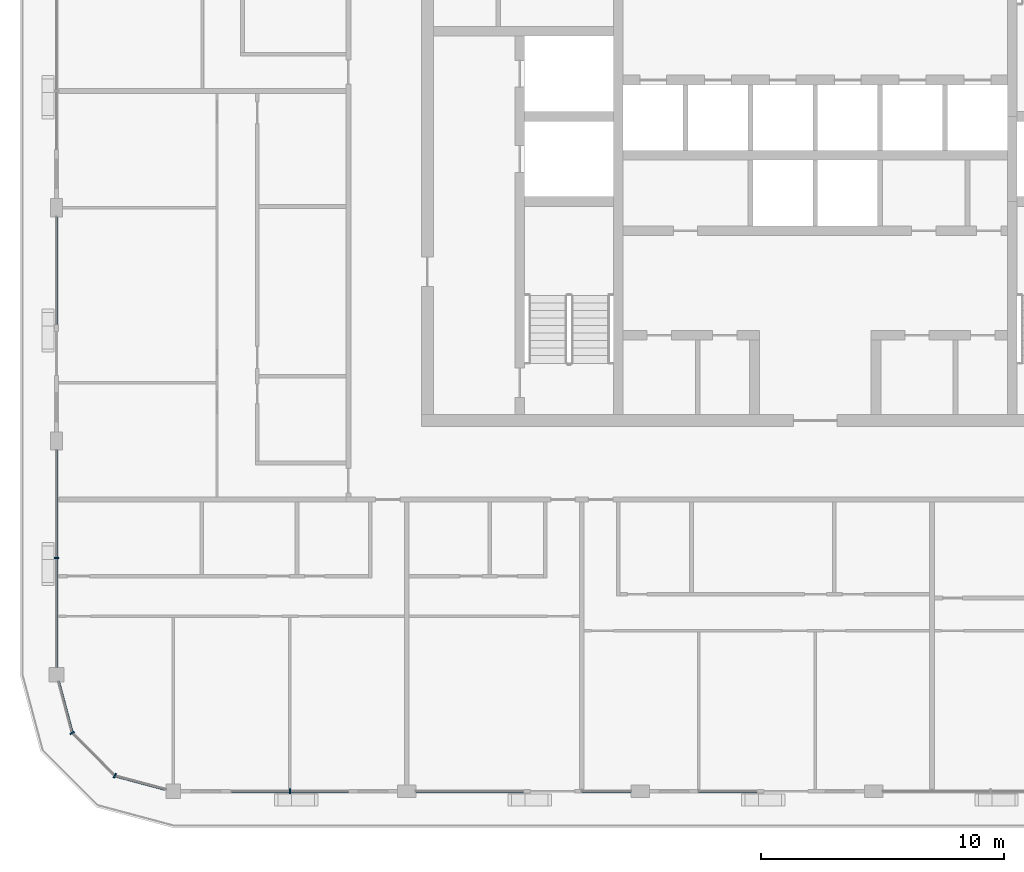
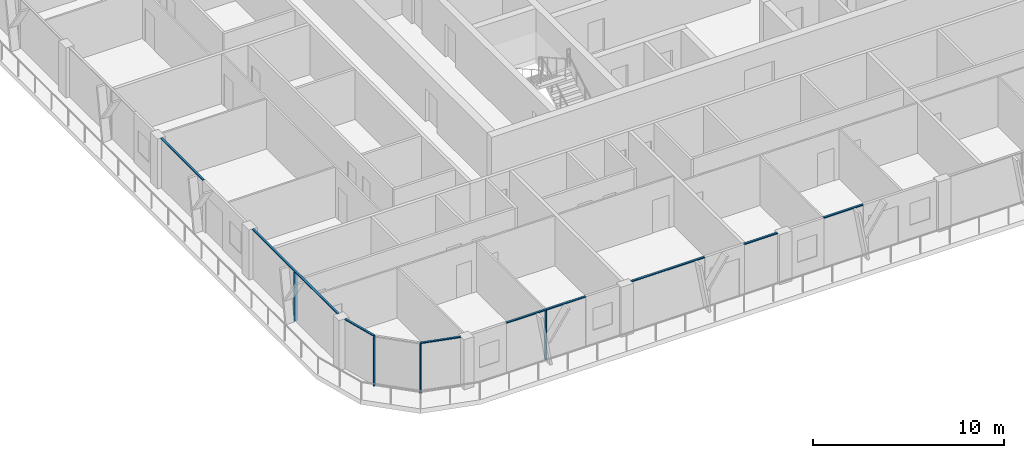
# One storey, part 2 of 22: 12 members, 6 elements without a shape of their own.
"""IFC4 building model written with IfcOpenShell, lengths in metres."""

from ifc_helpers import new_model, si_unit, direction, frame, origin, origin_2d, place, context, subcontext, project, spatial, rectangle, extrude, material, layer, layer_set, material_profile, profile_set, type_object, element, aggregate, save


model = new_model("IFC4")

# Units and contexts
model_context = context("Model", 3, precision=1e-05, world=origin(), true_north=direction((0.0, 1.0)))
body_context = subcontext(model_context, "Body", "Model", "MODEL_VIEW")
ifc_project = project(units=[si_unit("LENGTHUNIT", "METRE"), si_unit("AREAUNIT", "SQUARE_METRE"), si_unit("VOLUMEUNIT", "CUBIC_METRE"), si_unit("PLANEANGLEUNIT", "RADIAN"), si_unit("MASSUNIT", "GRAM", prefix="KILO")], contexts=[model_context])

# Site, building, storey
site_placement = place(None, origin())
site = spatial("IfcSite", under=ifc_project, at=site_placement, CompositionType="ELEMENT")
building_placement = place(site_placement, origin())
building = spatial("IfcBuilding", under=site, at=building_placement, Name="Madar Terraces", CompositionType="ELEMENT")
storey_placement = place(building_placement, frame((0.0, 0.0, 282.60009765625)))
storey = spatial("IfcBuildingStorey", under=building, at=storey_placement, Name="L74", CompositionType="ELEMENT", Elevation=282.60009765625)

# Curtain wall, member
ifc_material_1 = material(Name="Glass, ceramic frit dark grey, with black aluminium frame", Category="aluminium")
ifc_layer = layer(ifc_material_1, 0.199951171875)
ifc_layer_set = layer_set([ifc_layer], Name="Facade curtain wall, fritted glass")
curtain_wall_type = type_object("IfcCurtainWallType", Name="Facade curtain wall, fritted glass", PredefinedType="NOTDEFINED", material=ifc_layer_set)
curtain_wall_1_placement = place(storey_placement, origin())
curtain_wall_1 = element("IfcCurtainWall", 1, at=curtain_wall_1_placement, inside=storey, type_object=curtain_wall_type, Name="Outer skin curtain wall south bay 1", PredefinedType="NOTDEFINED")
ifc_material_2 = material(Name="Aluminium, black anodised", Category="aluminium")
ifc_material_profile_1 = material_profile(ifc_material_2, rectangle(XDim=0.199951171875, YDim=0.06005859375, at=origin_2d()), Name="Facade mullion 60x200")
ifc_profile_set_1 = profile_set([ifc_material_profile_1], Name="Aluminium, black anodised")
member_type_1 = type_object("IfcMemberType", Name="Facade mullion 60x200", PredefinedType="MULLION", material=ifc_profile_set_1)
member_1_placement = place(storey_placement, frame((9.60009765625, 0.0, 0.0), z_axis=(0.0, 0.0, 1.0), x_axis=(0.0, 1.0, 0.0)))
member_1 = element("IfcMember", 2, at=member_1_placement, type_object=member_type_1, Name="Mullion 1", PredefinedType="MULLION", context=body_context, shape_type="SweptSolid", body=[
    extrude(rectangle(XDim=0.199951171875, YDim=0.06005859375, at=origin_2d()), origin(), (0.0, 0.0, 1.0), 3.139892578125),
])

curtain_wall_2_placement = place(storey_placement, origin())
curtain_wall_2 = element("IfcCurtainWall", 3, at=curtain_wall_2_placement, inside=storey, type_object=curtain_wall_type, Name="Outer skin curtain wall west bay 4", PredefinedType="NOTDEFINED")
member_2_placement = place(storey_placement, frame((0.0, 9.60009765625, 0.0), z_axis=(0.0, 0.0, 1.0), x_axis=(1.0, 0.0, 0.0)))
member_2 = element("IfcMember", 4, at=member_2_placement, type_object=member_type_1, Name="Mullion 1", PredefinedType="MULLION", context=body_context, shape_type="SweptSolid", body=[
    extrude(rectangle(XDim=0.199951171875, YDim=0.06005859375, at=origin_2d()), origin(), (0.0, 0.0, 1.0), 3.139892578125),
])

# Curtain wall, members
curtain_wall_3_placement = place(storey_placement, origin())
curtain_wall_3 = element("IfcCurtainWall", 5, at=curtain_wall_3_placement, inside=storey, type_object=curtain_wall_type, Name="Outer skin curtain wall south-west corner", PredefinedType="NOTDEFINED")
member_3_placement = place(storey_placement, frame((0.64306640625, 2.39990234375, 0.0), z_axis=(0.0, 0.0, 1.0), x_axis=(0.866025409797, 0.499999989586, 0.0)))
member_3 = element("IfcMember", 6, at=member_3_placement, type_object=member_type_1, Name="Mullion 1", PredefinedType="MULLION", context=body_context, shape_type="SweptSolid", body=[
    extrude(rectangle(XDim=0.199951171875, YDim=0.06005859375, at=origin_2d()), origin(), (0.0, 0.0, 1.0), 3.139892578125),
])
member_4_placement = place(storey_placement, frame((2.39990234375, 0.64306640625, 0.0), z_axis=(0.0, 0.0, 1.0), x_axis=(0.499999989586, 0.866025409797, 0.0)))
member_4 = element("IfcMember", 7, at=member_4_placement, type_object=member_type_1, Name="Mullion 2", PredefinedType="MULLION", context=body_context, shape_type="SweptSolid", body=[
    extrude(rectangle(XDim=0.199951171875, YDim=0.06005859375, at=origin_2d()), origin(), (0.0, 0.0, 1.0), 3.139892578125),
])

# Member
ifc_material_3 = material(Name="Aluminium, black anodised", Category="aluminium")
ifc_material_profile_2 = material_profile(ifc_material_3, rectangle(XDim=0.1201171875, YDim=0.06005859375, at=origin_2d()), Name="Facade transom 60x120")
ifc_profile_set_2 = profile_set([ifc_material_profile_2], Name="Aluminium, black anodised")
member_type_2 = type_object("IfcMemberType", Name="Facade transom 60x120", PredefinedType="USERDEFINED", material=ifc_profile_set_2)
member_5_placement = place(storey_placement, frame((7.199951171875, 0.0, 3.169921875), z_axis=(1.0, 0.0, 0.0), x_axis=(0.0, 1.0, 0.0)))
member_5 = element("IfcMember", 8, at=member_5_placement, type_object=member_type_2, Name="Transom 1", ObjectType="TRANSOM", PredefinedType="USERDEFINED", context=body_context, shape_type="SweptSolid", body=[
    extrude(rectangle(XDim=0.1201171875, YDim=0.06005859375, at=origin_2d()), origin(), (0.0, 0.0, 1.0), 4.800048828125),
])

aggregate(curtain_wall_1, [member_1, member_5])

# Curtain wall, members
curtain_wall_4_placement = place(storey_placement, origin())
curtain_wall_4 = element("IfcCurtainWall", 9, at=curtain_wall_4_placement, inside=storey, type_object=curtain_wall_type, Name="Outer skin curtain wall south bay 2", PredefinedType="NOTDEFINED")
member_6_placement = place(storey_placement, frame((14.77490234375, 0.0, 3.169921875), z_axis=(1.0, 0.0, 0.0), x_axis=(0.0, 1.0, 0.0)))
member_6 = element("IfcMember", 10, at=member_6_placement, type_object=member_type_2, Name="Transom 1", ObjectType="TRANSOM", PredefinedType="USERDEFINED", context=body_context, shape_type="SweptSolid", body=[
    extrude(rectangle(XDim=0.1201171875, YDim=0.06005859375, at=origin_2d()), origin(), (0.0, 0.0, 1.0), 4.425048828125),
])
member_7_placement = place(storey_placement, frame((21.60009765625, 0.0, 3.169921875), z_axis=(1.0, 0.0, 0.0), x_axis=(0.0, 1.0, 0.0)))
member_7 = element("IfcMember", 11, at=member_7_placement, type_object=member_type_2, Name="Transom 2", ObjectType="TRANSOM", PredefinedType="USERDEFINED", context=body_context, shape_type="SweptSolid", body=[
    extrude(rectangle(XDim=0.1201171875, YDim=0.06005859375, at=origin_2d()), origin(), (0.0, 0.0, 1.0), 2.02490234375),
])
aggregate(curtain_wall_4, [member_6, member_7])

# Curtain wall, member
curtain_wall_5_placement = place(storey_placement, origin())
curtain_wall_5 = element("IfcCurtainWall", 12, at=curtain_wall_5_placement, inside=storey, type_object=curtain_wall_type, Name="Outer skin curtain wall south bay 3", PredefinedType="NOTDEFINED")
member_8_placement = place(storey_placement, frame((26.39990234375, 0.0, 3.169921875), z_axis=(1.0, 0.0, 0.0), x_axis=(0.0, 1.0, 0.0)))
member_8 = element("IfcMember", 13, at=member_8_placement, type_object=member_type_2, Name="Transom 1", ObjectType="TRANSOM", PredefinedType="USERDEFINED", context=body_context, shape_type="SweptSolid", body=[
    extrude(rectangle(XDim=0.1201171875, YDim=0.06005859375, at=origin_2d()), origin(), (0.0, 0.0, 1.0), 2.400146484375),
])
aggregate(curtain_wall_5, [member_8])

curtain_wall_6_placement = place(storey_placement, origin())
curtain_wall_6 = element("IfcCurtainWall", 14, at=curtain_wall_6_placement, inside=storey, type_object=curtain_wall_type, Name="Outer skin curtain wall west bay 3", PredefinedType="NOTDEFINED")
member_9_placement = place(storey_placement, frame((0.0, 23.625, 3.169921875), z_axis=(0.0, -1.0, 0.0), x_axis=(1.0, 0.0, 0.0)))
member_9 = element("IfcMember", 15, at=member_9_placement, type_object=member_type_2, Name="Transom 1", ObjectType="TRANSOM", PredefinedType="USERDEFINED", context=body_context, shape_type="SweptSolid", body=[
    extrude(rectangle(XDim=0.1201171875, YDim=0.06005859375, at=origin_2d()), origin(), (0.0, 0.0, 1.0), 4.425048828125),
])
aggregate(curtain_wall_6, [member_9])

# Member
member_10_placement = place(storey_placement, frame((0.0, 14.02490234375, 3.169921875), z_axis=(0.0, -1.0, 0.0), x_axis=(1.0, 0.0, 0.0)))
member_10 = element("IfcMember", 16, at=member_10_placement, type_object=member_type_2, Name="Transom 1", ObjectType="TRANSOM", PredefinedType="USERDEFINED", context=body_context, shape_type="SweptSolid", body=[
    extrude(rectangle(XDim=0.1201171875, YDim=0.06005859375, at=origin_2d()), origin(), (0.0, 0.0, 1.0), 8.9248046875),
])

aggregate(curtain_wall_2, [member_2, member_10])

member_11_placement = place(storey_placement, frame((0.080322265625, 4.5, 3.169921875), z_axis=(0.258817664066, -0.965926196336, 0.0), x_axis=(0.965926196336, 0.258817664066, 0.0)))
member_11 = element("IfcMember", 17, at=member_11_placement, type_object=member_type_2, Name="Transom 1", ObjectType="TRANSOM", PredefinedType="USERDEFINED", context=body_context, shape_type="SweptSolid", body=[
    extrude(rectangle(XDim=0.1201171875, YDim=0.06005859375, at=origin_2d()), origin(), (0.0, 0.0, 1.0), 2.14404296875),
])

member_12_placement = place(storey_placement, frame((2.428955078125, 0.63525390625, 3.169921875), z_axis=(0.965926196336, -0.258817664066, 0.0), x_axis=(0.258817664066, 0.965926196336, 0.0)))
member_12 = element("IfcMember", 18, at=member_12_placement, type_object=member_type_2, Name="Transom 3", ObjectType="TRANSOM", PredefinedType="USERDEFINED", context=body_context, shape_type="SweptSolid", body=[
    extrude(rectangle(XDim=0.1201171875, YDim=0.06005859375, at=origin_2d()), origin(), (0.0, 0.0, 1.0), 2.14404296875),
])

aggregate(curtain_wall_3, [member_3, member_11, member_4, member_12])

save(model, "model.ifc")
